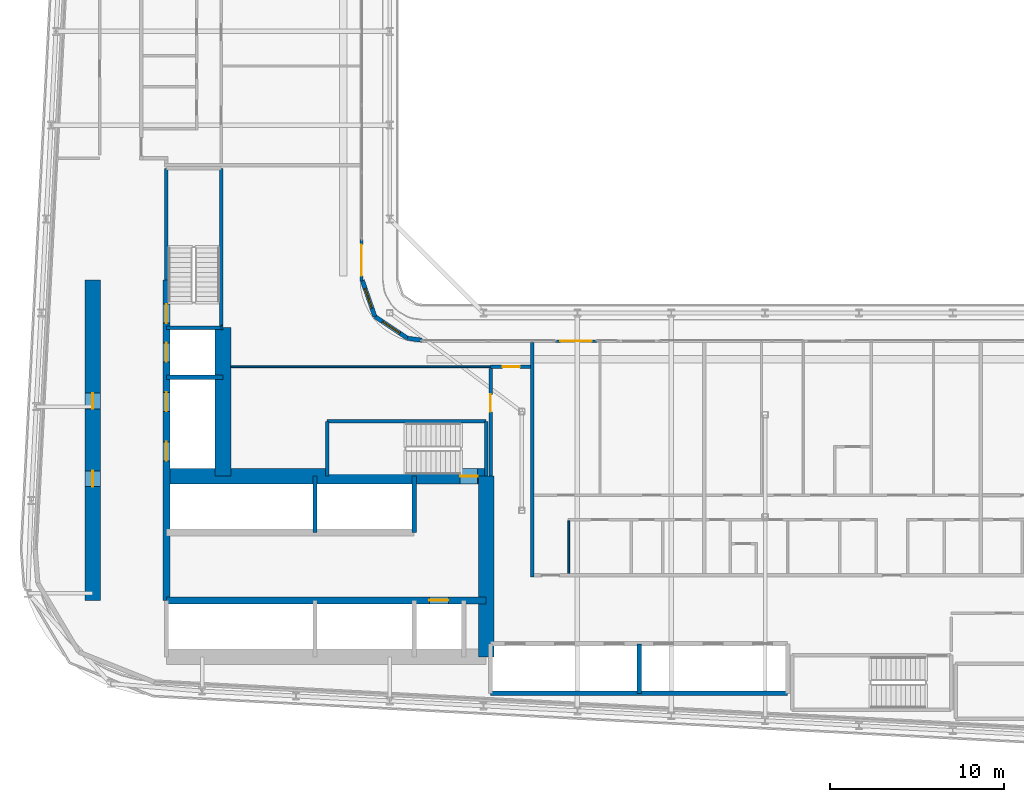
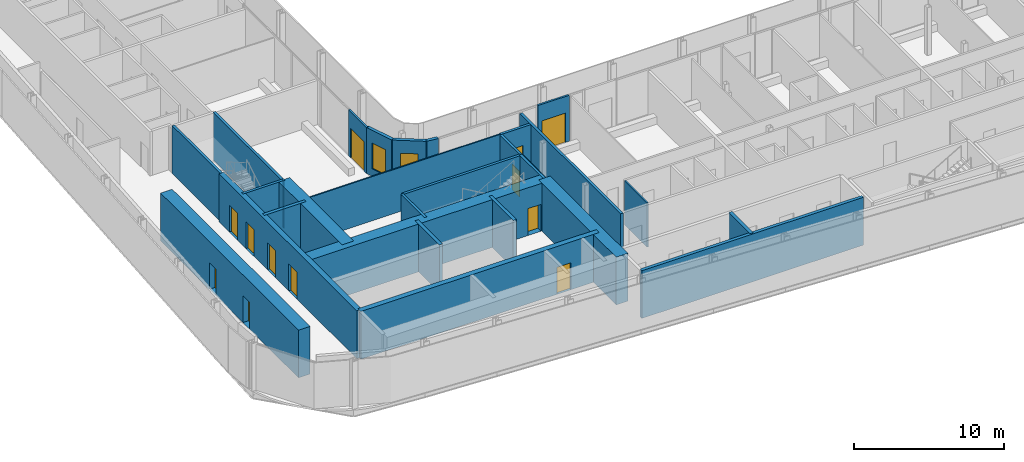
# One storey, part 13 of 28: 28 walls, 12 doors, 2 windows, 14 openings.
"""IFC4 building model written with IfcOpenShell, lengths in metres."""

from ifc_helpers import new_model, si_unit, direction, frame, frame_2d, origin, place, context, subcontext, project, spatial, rectangle, extrude, source, transform, mapped, material, layer, layer_set, type_object, element, fill, save


model = new_model("IFC4")

# Units and contexts
model_context = context("Model", 3, precision=1e-05, world=origin(), true_north=direction((0.0, 1.0)))
body_context = subcontext(model_context, "Body", "Model", "MODEL_VIEW")
ifc_project = project(units=[si_unit("LENGTHUNIT", "METRE"), si_unit("AREAUNIT", "SQUARE_METRE"), si_unit("VOLUMEUNIT", "CUBIC_METRE"), si_unit("PLANEANGLEUNIT", "RADIAN"), si_unit("MASSUNIT", "GRAM", prefix="KILO")], contexts=[model_context])

# Site, building, storey
site_placement = place(None, origin())
site = spatial("IfcSite", under=ifc_project, at=site_placement, CompositionType="ELEMENT")
building_placement = place(site_placement, origin())
building = spatial("IfcBuilding", under=site, at=building_placement, Name="Kheshtan School and Residences Tower", CompositionType="ELEMENT")
storey_placement = place(building_placement, frame((0.0, 0.0, 125.300048828125)))
storey = spatial("IfcBuildingStorey", under=building, at=storey_placement, Name="L29", CompositionType="ELEMENT", Elevation=125.300048828125)

# Wall, opening, door
ifc_material_1 = material(Name="Concrete C50/60", Category="concrete")
ifc_layer_1 = layer(ifc_material_1, 0.39990234375)
ifc_layer_set_1 = layer_set([ifc_layer_1], Name="Core wall 400 Concrete C50/60")
wall_type_1 = type_object("IfcWallType", Name="Core wall 400 Concrete C50/60", PredefinedType="SHEAR", material=ifc_layer_set_1)
wall_1_placement = place(storey_placement, frame((34.75, 29.050048828125, 0.0), z_axis=(0.0, 0.0, 1.0), x_axis=(1.0, 0.0, 0.0)))
wall_1 = element("IfcWall", 1, at=wall_1_placement, inside=storey, type_object=wall_type_1, Name="Core wall CW-HALL-S1", PredefinedType="SHEAR", context=body_context, shape_type="SweptSolid", body=[
    extrude(rectangle(XDim=18.39990234375, YDim=0.39990234375, at=frame_2d((9.199951171875, 0.0))), origin(), (0.0, 0.0, 1.0), 3.89990234375),
])
opening_1_placement = place(wall_1_placement, frame((15.125, 0.0, 0.0)))
opening_1 = element("IfcOpeningElement", 2, at=opening_1_placement, cuts=wall_1, Name="Opening LD", PredefinedType="OPENING", context=body_context, shape_type="SweptSolid", body=[
    extrude(rectangle(XDim=1.10009765625, YDim=2.199951171875, at=frame_2d((0.550048828125, 1.10009765625))), frame((0.0, 0.2099609375, 0.0), z_axis=(0.0, -1.0, 0.0), x_axis=(1.0, 0.0, 0.0)), (0.0, 0.0, 1.0), 0.419921875),
])
ifc_material_2 = material(Name="Stainless steel door leaves", Category="steel")
door_type_1 = type_object("IfcDoorType", Name="Lift landing door 1100", OperationType="SLIDING_TO_LEFT", PredefinedType="DOOR", material=ifc_material_2)
shared_shape_1 = source(origin(), body_context, "Body", "SweptSolid", [
    extrude(rectangle(XDim=1.10009765625, YDim=2.199951171875, at=frame_2d((0.550048828125, 1.10009765625))), frame((0.0, 0.02490234375, 0.0), z_axis=(0.0, -1.0, 0.0), x_axis=(1.0, 0.0, 0.0)), (0.0, 0.0, 1.0), 0.050048828125),
])
door_1_placement = place(opening_1_placement, origin())
door_1 = element("IfcDoor", 3, at=door_1_placement, inside=storey, type_object=door_type_1, Name="Lift FFL2 landing door", OperationType="SLIDING_TO_LEFT", OverallHeight=2.199951171875, OverallWidth=1.10009765625, PredefinedType="DOOR", context=body_context, shape_type="MappedRepresentation", body=[
    mapped(shared_shape_1, transform((0.0, 0.0, 0.0), x_axis=(1.0, 0.0, 0.0), y_axis=(0.0, 1.0, 0.0), z_axis=(0.0, 0.0, 1.0), scale=1.0)),
])
fill(opening_1, door_1)

# Wall, openings, doors
wall_2_placement = place(storey_placement, frame((34.75, 29.050048828125, 0.0), z_axis=(0.0, 0.0, 1.0), x_axis=(0.0, 1.0, 0.0)))
wall_2 = element("IfcWall", 4, at=wall_2_placement, inside=storey, type_object=wall_type_1, Name="Core wall CW-HALL-W1", PredefinedType="SHEAR", context=body_context, shape_type="SweptSolid", body=[
    extrude(rectangle(XDim=18.449951171875, YDim=0.39990234375, at=frame_2d((9.22509765625, 0.0))), origin(), (0.0, 0.0, 1.0), 3.89990234375),
])
opening_2_placement = place(wall_2_placement, frame((8.02490234375, 0.0, 0.0)))
opening_2 = element("IfcOpeningElement", 5, at=opening_2_placement, cuts=wall_2, Name="Opening LD", PredefinedType="OPENING", context=body_context, shape_type="SweptSolid", body=[
    extrude(rectangle(XDim=1.10009765625, YDim=2.199951171875, at=frame_2d((0.550048828125, 1.10009765625))), frame((0.0, 0.2099609375, 0.0), z_axis=(0.0, -1.0, 0.0), x_axis=(1.0, 0.0, 0.0)), (0.0, 0.0, 1.0), 0.419921875),
])
opening_3_placement = place(wall_2_placement, frame((10.875, 0.0, 0.0)))
opening_3 = element("IfcOpeningElement", 6, at=opening_3_placement, cuts=wall_2, Name="Opening LD", PredefinedType="OPENING", context=body_context, shape_type="SweptSolid", body=[
    extrude(rectangle(XDim=1.10009765625, YDim=2.199951171875, at=frame_2d((0.550048828125, 1.10009765625))), frame((0.0, 0.2099609375, 0.0), z_axis=(0.0, -1.0, 0.0), x_axis=(1.0, 0.0, 0.0)), (0.0, 0.0, 1.0), 0.419921875),
])
opening_4_placement = place(wall_2_placement, frame((13.72509765625, 0.0, 0.0)))
opening_4 = element("IfcOpeningElement", 7, at=opening_4_placement, cuts=wall_2, Name="Opening LD", PredefinedType="OPENING", context=body_context, shape_type="SweptSolid", body=[
    extrude(rectangle(XDim=1.10009765625, YDim=2.199951171875, at=frame_2d((0.550048828125, 1.10009765625))), frame((0.0, 0.2099609375, 0.0), z_axis=(0.0, -1.0, 0.0), x_axis=(1.0, 0.0, 0.0)), (0.0, 0.0, 1.0), 0.419921875),
])
opening_5_placement = place(wall_2_placement, frame((15.949951171875, 0.0, 0.0)))
opening_5 = element("IfcOpeningElement", 8, at=opening_5_placement, cuts=wall_2, Name="Opening ST2D", PredefinedType="OPENING", context=body_context, shape_type="SweptSolid", body=[
    extrude(rectangle(XDim=1.10009765625, YDim=2.199951171875, at=frame_2d((0.550048828125, 1.10009765625))), frame((0.0, 0.2099609375, 0.0), z_axis=(0.0, -1.0, 0.0), x_axis=(1.0, 0.0, 0.0)), (0.0, 0.0, 1.0), 0.419921875),
])
door_2_placement = place(opening_2_placement, origin())
door_2 = element("IfcDoor", 9, at=door_2_placement, inside=storey, type_object=door_type_1, Name="Lift SV1 landing door", OperationType="SLIDING_TO_LEFT", OverallHeight=2.199951171875, OverallWidth=1.10009765625, PredefinedType="DOOR", context=body_context, shape_type="MappedRepresentation", body=[
    mapped(shared_shape_1, transform((0.0, 0.0, 0.0), x_axis=(1.0, 0.0, 0.0), y_axis=(0.0, 1.0, 0.0), z_axis=(0.0, 0.0, 1.0), scale=1.0)),
])
fill(opening_2, door_2)
door_3_placement = place(opening_3_placement, origin())
door_3 = element("IfcDoor", 10, at=door_3_placement, inside=storey, type_object=door_type_1, Name="Lift SV2 landing door", OperationType="SLIDING_TO_LEFT", OverallHeight=2.199951171875, OverallWidth=1.10009765625, PredefinedType="DOOR", context=body_context, shape_type="MappedRepresentation", body=[
    mapped(shared_shape_1, transform((0.0, 0.0, 0.0), x_axis=(1.0, 0.0, 0.0), y_axis=(0.0, 1.0, 0.0), z_axis=(0.0, 0.0, 1.0), scale=1.0)),
])
fill(opening_3, door_3)
door_4_placement = place(opening_4_placement, origin())
door_4 = element("IfcDoor", 11, at=door_4_placement, inside=storey, type_object=door_type_1, Name="Lift FFL1 landing door", OperationType="SLIDING_TO_LEFT", OverallHeight=2.199951171875, OverallWidth=1.10009765625, PredefinedType="DOOR", context=body_context, shape_type="MappedRepresentation", body=[
    mapped(shared_shape_1, transform((0.0, 0.0, 0.0), x_axis=(1.0, 0.0, 0.0), y_axis=(0.0, 1.0, 0.0), z_axis=(0.0, 0.0, 1.0), scale=1.0)),
])
fill(opening_4, door_4)
ifc_material_3 = material(Name="Steel door leaf, galvanised", Category="steel")
door_type_2 = type_object("IfcDoorType", Name="Stair door 1100 steel 90 min", OperationType="SINGLE_SWING_LEFT", PredefinedType="DOOR", material=ifc_material_3)
shared_shape_2 = source(origin(), body_context, "Body", "SweptSolid", [
    extrude(rectangle(XDim=1.10009765625, YDim=2.199951171875, at=frame_2d((0.550048828125, 1.10009765625))), frame((0.0, 0.02490234375, 0.0), z_axis=(0.0, -1.0, 0.0), x_axis=(1.0, 0.0, 0.0)), (0.0, 0.0, 1.0), 0.050048828125),
])
door_5_placement = place(opening_5_placement, origin())
door_5 = element("IfcDoor", 12, at=door_5_placement, inside=storey, type_object=door_type_2, Name="Stair ST2 door", OperationType="SINGLE_SWING_RIGHT", OverallHeight=2.199951171875, OverallWidth=1.10009765625, PredefinedType="DOOR", context=body_context, shape_type="MappedRepresentation", body=[
    mapped(shared_shape_2, transform((0.0, 0.0, 0.0), x_axis=(1.0, 0.0, 0.0), y_axis=(0.0, 1.0, 0.0), z_axis=(0.0, 0.0, 1.0), scale=1.0)),
])
fill(opening_5, door_5)

# Wall, opening, door
ifc_material_4 = material(Name="Concrete C80/95", Category="concrete")
ifc_layer_2 = layer(ifc_material_4, 0.89990234375)
ifc_layer_set_2 = layer_set([ifc_layer_2], Name="Core wall 900 Concrete C80/95")
wall_type_2 = type_object("IfcWallType", Name="Core wall 900 Concrete C80/95", PredefinedType="SHEAR", material=ifc_layer_set_2)
wall_3_placement = place(storey_placement, frame((34.75, 36.199951171875, 0.0), z_axis=(0.0, 0.0, 1.0), x_axis=(1.0, 0.0, 0.0)))
wall_3 = element("IfcWall", 13, at=wall_3_placement, inside=storey, type_object=wall_type_2, Name="Core wall CW-FRONT-S", PredefinedType="SHEAR", context=body_context, shape_type="SweptSolid", body=[
    extrude(rectangle(XDim=18.39990234375, YDim=0.89990234375, at=frame_2d((9.199951171875, 0.0))), origin(), (0.0, 0.0, 1.0), 3.89990234375),
])
opening_6_placement = place(wall_3_placement, frame((16.89990234375, 0.0, 0.0)))
opening_6 = element("IfcOpeningElement", 14, at=opening_6_placement, cuts=wall_3, Name="Opening ST1D", PredefinedType="OPENING", context=body_context, shape_type="SweptSolid", body=[
    extrude(rectangle(XDim=1.0, YDim=2.199951171875, at=frame_2d((0.5, 1.10009765625))), frame((0.0, 0.4599609375, 0.0), z_axis=(0.0, -1.0, 0.0), x_axis=(1.0, 0.0, 0.0)), (0.0, 0.0, 1.0), 0.919921875),
])
shared_shape_3 = source(origin(), body_context, "Body", "SweptSolid", [
    extrude(rectangle(XDim=1.0, YDim=2.199951171875, at=frame_2d((0.5, 1.10009765625))), frame((0.0, 0.02490234375, 0.0), z_axis=(0.0, -1.0, 0.0), x_axis=(1.0, 0.0, 0.0)), (0.0, 0.0, 1.0), 0.050048828125),
])
door_6_placement = place(opening_6_placement, origin())
door_6 = element("IfcDoor", 15, at=door_6_placement, inside=storey, type_object=door_type_2, Name="Stair ST1 door", OperationType="SINGLE_SWING_RIGHT", OverallHeight=2.199951171875, OverallWidth=1.0, PredefinedType="DOOR", context=body_context, shape_type="MappedRepresentation", body=[
    mapped(shared_shape_3, transform((0.0, 0.0, 0.0), x_axis=(1.0, 0.0, 0.0), y_axis=(0.0, 1.0, 0.0), z_axis=(0.0, 0.0, 1.0), scale=1.0)),
])
fill(opening_6, door_6)

# Wall
wall_4_placement = place(storey_placement, frame((38.0, 36.199951171875, 0.0), z_axis=(0.0, 0.0, 1.0), x_axis=(0.0, 1.0, 0.0)))
element("IfcWall", 16, at=wall_4_placement, inside=storey, type_object=wall_type_2, Name="Core wall CW-FRONT-W", PredefinedType="SHEAR", context=body_context, shape_type="SweptSolid", body=[
    extrude(rectangle(XDim=8.550048828125, YDim=0.89990234375, at=frame_2d((4.27490234375, 0.0))), origin(), (0.0, 0.0, 1.0), 3.89990234375),
])

# Wall, openings, doors
wall_5_placement = place(storey_placement, frame((30.5, 29.050048828125, 0.0), z_axis=(0.0, 0.0, 1.0), x_axis=(0.0, 1.0, 0.0)))
wall_5 = element("IfcWall", 17, at=wall_5_placement, inside=storey, type_object=wall_type_2, Name="Core wall CW-REAR-W", PredefinedType="SHEAR", context=body_context, shape_type="SweptSolid", body=[
    extrude(rectangle(XDim=18.449951171875, YDim=0.89990234375, at=frame_2d((9.22509765625, 0.0))), origin(), (0.0, 0.0, 1.0), 3.89990234375),
])
opening_7_placement = place(wall_5_placement, frame((6.550048828125, 0.0, 0.0)))
opening_7 = element("IfcOpeningElement", 18, at=opening_7_placement, cuts=wall_5, Name="Opening SR90", PredefinedType="OPENING", context=body_context, shape_type="SweptSolid", body=[
    extrude(rectangle(XDim=0.89990234375, YDim=2.199951171875, at=frame_2d((0.449951171875, 1.10009765625))), frame((0.0, 0.4599609375, 0.0), z_axis=(0.0, -1.0, 0.0), x_axis=(1.0, 0.0, 0.0)), (0.0, 0.0, 1.0), 0.919921875),
])
opening_8_placement = place(wall_5_placement, frame((11.02490234375, 0.0, 0.0)))
opening_8 = element("IfcOpeningElement", 19, at=opening_8_placement, cuts=wall_5, Name="Opening SR90", PredefinedType="OPENING", context=body_context, shape_type="SweptSolid", body=[
    extrude(rectangle(XDim=0.89990234375, YDim=2.199951171875, at=frame_2d((0.449951171875, 1.10009765625))), frame((0.0, 0.4599609375, 0.0), z_axis=(0.0, -1.0, 0.0), x_axis=(1.0, 0.0, 0.0)), (0.0, 0.0, 1.0), 0.919921875),
])
door_type_3 = type_object("IfcDoorType", Name="Service room door 900 steel 90 min", OperationType="SINGLE_SWING_LEFT", PredefinedType="DOOR", material=ifc_material_3)
shared_shape_4 = source(origin(), body_context, "Body", "SweptSolid", [
    extrude(rectangle(XDim=0.89990234375, YDim=2.199951171875, at=frame_2d((0.449951171875, 1.10009765625))), frame((0.0, 0.02490234375, 0.0), z_axis=(0.0, -1.0, 0.0), x_axis=(1.0, 0.0, 0.0)), (0.0, 0.0, 1.0), 0.050048828125),
])
door_7_placement = place(opening_7_placement, origin())
door_7 = element("IfcDoor", 20, at=door_7_placement, inside=storey, type_object=door_type_3, Name="Service room door", OperationType="SINGLE_SWING_RIGHT", OverallHeight=2.199951171875, OverallWidth=0.89990234375, PredefinedType="DOOR", context=body_context, shape_type="MappedRepresentation", body=[
    mapped(shared_shape_4, transform((0.0, 0.0, 0.0), x_axis=(1.0, 0.0, 0.0), y_axis=(0.0, 1.0, 0.0), z_axis=(0.0, 0.0, 1.0), scale=1.0)),
])
fill(opening_7, door_7)
door_8_placement = place(opening_8_placement, origin())
door_8 = element("IfcDoor", 21, at=door_8_placement, inside=storey, type_object=door_type_3, Name="Service room door", OperationType="SINGLE_SWING_RIGHT", OverallHeight=2.199951171875, OverallWidth=0.89990234375, PredefinedType="DOOR", context=body_context, shape_type="MappedRepresentation", body=[
    mapped(shared_shape_4, transform((0.0, 0.0, 0.0), x_axis=(1.0, 0.0, 0.0), y_axis=(0.0, 1.0, 0.0), z_axis=(0.0, 0.0, 1.0), scale=1.0)),
])
fill(opening_8, door_8)

# Wall
wall_6_placement = place(storey_placement, frame((53.14990234375, 25.800048828125, 0.0), z_axis=(0.0, 0.0, 1.0), x_axis=(0.0, 1.0, 0.0)))
element("IfcWall", 22, at=wall_6_placement, inside=storey, type_object=wall_type_2, Name="Core wall CW-EAST", PredefinedType="SHEAR", context=body_context, shape_type="SweptSolid", body=[
    extrude(rectangle(XDim=10.39990234375, YDim=0.89990234375, at=frame_2d((5.199951171875, 0.0))), origin(), (0.0, 0.0, 1.0), 3.89990234375),
])

# Wall, opening, door
ifc_material_5 = material(Name="Gypsum board on steel studs with fire boards", Category="steel")
ifc_layer_3 = layer(ifc_material_5, 0.199951171875)
ifc_layer_set_3 = layer_set([ifc_layer_3], Name="Corridor wall 200")
wall_type_3 = type_object("IfcWallType", Name="Corridor wall 200", PredefinedType="PARTITIONING", material=ifc_layer_set_3)
wall_7_placement = place(storey_placement, frame((53.39990234375, 36.198974609375, 0.0), z_axis=(0.0, 0.0, 1.0), x_axis=(0.0, 1.0, 0.0)))
wall_7 = element("IfcWall", 23, at=wall_7_placement, inside=storey, type_object=wall_type_3, Name="Partition L29-044", PredefinedType="PARTITIONING", context=body_context, shape_type="SweptSolid", body=[
    extrude(rectangle(XDim=6.200927734375, YDim=0.199951171875, at=frame_2d((3.1005859375, 0.0))), origin(), (0.0, 0.0, 1.0), 3.599853515625),
])
opening_9_placement = place(wall_7_placement, frame((3.70703125, 0.0, 0.0)))
opening_9 = element("IfcOpeningElement", 24, at=opening_9_placement, cuts=wall_7, Name="Opening D29-063", PredefinedType="OPENING", context=body_context, shape_type="SweptSolid", body=[
    extrude(rectangle(XDim=1.0, YDim=2.10009765625, at=frame_2d((0.5, 1.050048828125))), frame((0.0, 0.10986328125, 0.0), z_axis=(0.0, -1.0, 0.0), x_axis=(1.0, 0.0, 0.0)), (0.0, 0.0, 1.0), 0.219970703125),
])
ifc_material_6 = material(Name="Steel-framed fire-resisting door leaf", Category="steel")
door_type_4 = type_object("IfcDoorType", Name="Fire door FD60 1000 x 2100", OperationType="SINGLE_SWING_LEFT", PredefinedType="DOOR", material=ifc_material_6)
shared_shape_5 = source(origin(), body_context, "Body", "SweptSolid", [
    extrude(rectangle(XDim=1.0, YDim=2.10009765625, at=frame_2d((0.5, 1.050048828125))), frame((0.0, 0.02490234375, 0.0), z_axis=(0.0, -1.0, 0.0), x_axis=(1.0, 0.0, 0.0)), (0.0, 0.0, 1.0), 0.050048828125),
])
door_9_placement = place(opening_9_placement, origin())
door_9 = element("IfcDoor", 25, at=door_9_placement, inside=storey, type_object=door_type_4, Name="Door D29-063", OperationType="SINGLE_SWING_LEFT", OverallHeight=2.10009765625, OverallWidth=1.0, PredefinedType="DOOR", context=body_context, shape_type="MappedRepresentation", body=[
    mapped(shared_shape_5, transform((0.0, 0.0, 0.0), x_axis=(1.0, 0.0, 0.0), y_axis=(0.0, 1.0, 0.0), z_axis=(0.0, 0.0, 1.0), scale=1.0)),
])
fill(opening_9, door_9)

wall_8_placement = place(storey_placement, frame((53.39990234375, 42.5, 0.0), z_axis=(0.0, 0.0, 1.0), x_axis=(1.0, 0.0, 0.0)))
wall_8 = element("IfcWall", 26, at=wall_8_placement, inside=storey, type_object=wall_type_3, Name="Partition L29-045", PredefinedType="PARTITIONING", context=body_context, shape_type="SweptSolid", body=[
    extrude(rectangle(XDim=2.300048828125, YDim=0.199951171875, at=frame_2d((1.14990234375, 0.0))), origin(), (0.0, 0.0, 1.0), 3.599853515625),
])
opening_10_placement = place(wall_8_placement, frame((0.695068359375, 0.0, 0.0)))
opening_10 = element("IfcOpeningElement", 27, at=opening_10_placement, cuts=wall_8, Name="Opening D29-064", PredefinedType="OPENING", context=body_context, shape_type="SweptSolid", body=[
    extrude(rectangle(XDim=1.0, YDim=2.10009765625, at=frame_2d((0.5, 1.050048828125))), frame((0.0, 0.10986328125, 0.0), z_axis=(0.0, -1.0, 0.0), x_axis=(1.0, 0.0, 0.0)), (0.0, 0.0, 1.0), 0.219970703125),
])
door_10_placement = place(opening_10_placement, origin())
door_10 = element("IfcDoor", 28, at=door_10_placement, inside=storey, type_object=door_type_4, Name="Door D29-064", OperationType="SINGLE_SWING_RIGHT", OverallHeight=2.10009765625, OverallWidth=1.0, PredefinedType="DOOR", context=body_context, shape_type="MappedRepresentation", body=[
    mapped(shared_shape_5, transform((0.0, 0.0, 0.0), x_axis=(1.0, 0.0, 0.0), y_axis=(0.0, 1.0, 0.0), z_axis=(0.0, 0.0, 1.0), scale=1.0)),
])
fill(opening_10, door_10)

# Wall, opening, window
ifc_material_7 = material(Name="Concrete C40/50 with ceramic cladding and mineral wool insulation", Category="concrete")
ifc_layer_4 = layer(ifc_material_7, 0.25)
ifc_layer_set_4 = layer_set([ifc_layer_4], Name="External wall 250 ceramic clad")
wall_type_4 = type_object("IfcWallType", Name="External wall 250 ceramic clad", PredefinedType="SOLIDWALL", material=ifc_layer_set_4)
wall_9_placement = place(storey_placement, frame((46.01806640625, 47.470947265625, 0.0), z_axis=(0.0, 0.0, 1.0), x_axis=(0.328791208903, -0.944402637093, 0.0)))
wall_9 = element("IfcWall", 29, at=wall_9_placement, inside=storey, type_object=wall_type_4, Name="External wall L29 9", PredefinedType="SOLIDWALL", context=body_context, shape_type="SweptSolid", body=[
    extrude(rectangle(XDim=2.20458984375, YDim=0.25, at=frame_2d((1.102294921875, 0.0))), origin(), (0.0, 0.0, 1.0), 3.75),
])
opening_11_placement = place(wall_9_placement, frame((0.5029296875, 0.0, 0.60009765625)))
opening_11 = element("IfcOpeningElement", 30, at=opening_11_placement, cuts=wall_9, Name="Opening WN-E", PredefinedType="OPENING", context=body_context, shape_type="SweptSolid", body=[
    extrude(rectangle(XDim=1.199951171875, YDim=2.10009765625, at=frame_2d((0.60009765625, 1.050048828125))), frame((0.0, 0.135009765625, 0.0), z_axis=(0.0, -1.0, 0.0), x_axis=(1.0, 0.0, 0.0)), (0.0, 0.0, 1.0), 0.27001953125),
])
ifc_material_8 = material(Name="Clear low-e glass in thermally broken aluminium frame", Category="aluminium")
window_type = type_object("IfcWindowType", Name="Window WN-E", PartitioningType="SINGLE_PANEL", PredefinedType="WINDOW", material=ifc_material_8)
shared_shape_6 = source(origin(), body_context, "Body", "SweptSolid", [
    extrude(rectangle(XDim=1.199951171875, YDim=2.10009765625, at=frame_2d((0.60009765625, 1.050048828125))), frame((0.0, 0.030029296875, 0.0), z_axis=(0.0, -1.0, 0.0), x_axis=(1.0, 0.0, 0.0)), (0.0, 0.0, 1.0), 0.06005859375),
])
window_1_placement = place(opening_11_placement, origin())
window_1 = element("IfcWindow", 31, at=window_1_placement, inside=storey, type_object=window_type, Name="Window L29 9", OverallHeight=2.10009765625, OverallWidth=1.199951171875, PartitioningType="SINGLE_PANEL", PredefinedType="WINDOW", context=body_context, shape_type="MappedRepresentation", body=[
    mapped(shared_shape_6, transform((0.0, 0.0, 0.0), x_axis=(1.0, 0.0, 0.0), y_axis=(0.0, 1.0, 0.0), z_axis=(0.0, 0.0, 1.0), scale=1.0)),
])
fill(opening_11, window_1)

wall_10_placement = place(storey_placement, frame((46.742919921875, 45.388916015625, 0.0), z_axis=(0.0, 0.0, 1.0), x_axis=(0.831449265529, -0.555600682912, 0.0)))
wall_10 = element("IfcWall", 32, at=wall_10_placement, inside=storey, type_object=wall_type_4, Name="External wall L29 10", PredefinedType="SOLIDWALL", context=body_context, shape_type="SweptSolid", body=[
    extrude(rectangle(XDim=2.25146484375, YDim=0.25, at=frame_2d((1.125732421875, 0.0))), origin(), (0.0, 0.0, 1.0), 3.75),
])
opening_12_placement = place(wall_10_placement, frame((0.52490234375, 0.0, 0.60009765625)))
opening_12 = element("IfcOpeningElement", 33, at=opening_12_placement, cuts=wall_10, Name="Opening WN-E", PredefinedType="OPENING", context=body_context, shape_type="SweptSolid", body=[
    extrude(rectangle(XDim=1.199951171875, YDim=2.10009765625, at=frame_2d((0.60009765625, 1.050048828125))), frame((0.0, 0.135009765625, 0.0), z_axis=(0.0, -1.0, 0.0), x_axis=(1.0, 0.0, 0.0)), (0.0, 0.0, 1.0), 0.27001953125),
])
window_2_placement = place(opening_12_placement, origin())
window_2 = element("IfcWindow", 34, at=window_2_placement, inside=storey, type_object=window_type, Name="Window L29 10", OverallHeight=2.10009765625, OverallWidth=1.199951171875, PartitioningType="SINGLE_PANEL", PredefinedType="WINDOW", context=body_context, shape_type="MappedRepresentation", body=[
    mapped(shared_shape_6, transform((0.0, 0.0, 0.0), x_axis=(1.0, 0.0, 0.0), y_axis=(0.0, 1.0, 0.0), z_axis=(0.0, 0.0, 1.0), scale=1.0)),
])
fill(opening_12, window_2)

# Wall
wall_11_placement = place(storey_placement, frame((48.614990234375, 44.137939453125, 0.0), z_axis=(0.0, 0.0, 1.0), x_axis=(0.990741504246, -0.135761819977, 0.0)))
element("IfcWall", 35, at=wall_11_placement, inside=storey, type_object=wall_type_4, Name="External wall L29 11", PredefinedType="SOLIDWALL", context=body_context, shape_type="SweptSolid", body=[
    extrude(rectangle(XDim=0.83984375, YDim=0.25, at=frame_2d((0.419921875, 0.0))), origin(), (0.0, 0.0, 1.0), 3.75),
])

# Wall, opening, door
ifc_material_9 = material(Name="Aluminium frame wall with insulated infill", Category="aluminium")
ifc_layer_5 = layer(ifc_material_9, 0.14990234375)
ifc_layer_set_5 = layer_set([ifc_layer_5], Name="Glazing frame wall 150")
wall_type_5 = type_object("IfcWallType", Name="Glazing frame wall 150", PredefinedType="SOLIDWALL", material=ifc_layer_set_5)
wall_12_placement = place(storey_placement, frame((45.97509765625, 49.830078125, 0.0), z_axis=(0.0, 0.0, 1.0), x_axis=(0.0, -1.0, 0.0)))
wall_12 = element("IfcWall", 36, at=wall_12_placement, inside=storey, type_object=wall_type_5, Name="Balcony door wall L29 8.5", PredefinedType="SOLIDWALL", context=body_context, shape_type="SweptSolid", body=[
    extrude(rectangle(XDim=2.400146484375, YDim=0.14990234375, at=frame_2d((1.2001953125, 0.0))), origin(), (0.0, 0.0, 1.0), 3.75),
])
opening_13_placement = place(wall_12_placement, frame((0.300048828125, 0.0, 0.0)))
opening_13 = element("IfcOpeningElement", 37, at=opening_13_placement, cuts=wall_12, Name="Opening BD", PredefinedType="OPENING", context=body_context, shape_type="SweptSolid", body=[
    extrude(rectangle(XDim=1.800048828125, YDim=2.39990234375, at=frame_2d((0.89990234375, 1.199951171875))), frame((0.0, 0.0849609375, 0.0), z_axis=(0.0, -1.0, 0.0), x_axis=(1.0, 0.0, 0.0)), (0.0, 0.0, 1.0), 0.169921875),
])
door_type_5 = type_object("IfcDoorType", Name="Balcony sliding door", OperationType="SLIDING_TO_LEFT", PredefinedType="DOOR", material=ifc_material_8)
shared_shape_7 = source(origin(), body_context, "Body", "SweptSolid", [
    extrude(rectangle(XDim=1.800048828125, YDim=2.39990234375, at=frame_2d((0.89990234375, 1.199951171875))), frame((0.0, 0.02490234375, 0.0), z_axis=(0.0, -1.0, 0.0), x_axis=(1.0, 0.0, 0.0)), (0.0, 0.0, 1.0), 0.050048828125),
])
door_11_placement = place(opening_13_placement, origin())
door_11 = element("IfcDoor", 38, at=door_11_placement, inside=storey, type_object=door_type_5, Name="Balcony door L29 8.5", OperationType="SLIDING_TO_LEFT", OverallHeight=2.39990234375, OverallWidth=1.800048828125, PredefinedType="DOOR", context=body_context, shape_type="MappedRepresentation", body=[
    mapped(shared_shape_7, transform((0.0, 0.0, 0.0), x_axis=(1.0, 0.0, 0.0), y_axis=(0.0, 1.0, 0.0), z_axis=(0.0, 0.0, 1.0), scale=1.0)),
])
fill(opening_13, door_11)

wall_13_placement = place(storey_placement, frame((57.1240234375, 43.97509765625, 0.0), z_axis=(0.0, 0.0, 1.0), x_axis=(1.0, 0.0, 0.0)))
wall_13 = element("IfcWall", 39, at=wall_13_placement, inside=storey, type_object=wall_type_5, Name="Balcony door wall L29 12.1", PredefinedType="SOLIDWALL", context=body_context, shape_type="SweptSolid", body=[
    extrude(rectangle(XDim=2.39990234375, YDim=0.14990234375, at=frame_2d((1.199951171875, 0.0))), origin(), (0.0, 0.0, 1.0), 3.75),
])
opening_14_placement = place(wall_13_placement, frame((0.300048828125, 0.0, 0.0)))
opening_14 = element("IfcOpeningElement", 40, at=opening_14_placement, cuts=wall_13, Name="Opening BD", PredefinedType="OPENING", context=body_context, shape_type="SweptSolid", body=[
    extrude(rectangle(XDim=1.800048828125, YDim=2.39990234375, at=frame_2d((0.89990234375, 1.199951171875))), frame((0.0, 0.0849609375, 0.0), z_axis=(0.0, -1.0, 0.0), x_axis=(1.0, 0.0, 0.0)), (0.0, 0.0, 1.0), 0.169921875),
])
door_12_placement = place(opening_14_placement, origin())
door_12 = element("IfcDoor", 41, at=door_12_placement, inside=storey, type_object=door_type_5, Name="Balcony door L29 12.1", OperationType="SLIDING_TO_LEFT", OverallHeight=2.39990234375, OverallWidth=1.800048828125, PredefinedType="DOOR", context=body_context, shape_type="MappedRepresentation", body=[
    mapped(shared_shape_7, transform((0.0, 0.0, 0.0), x_axis=(1.0, 0.0, 0.0), y_axis=(0.0, 1.0, 0.0), z_axis=(0.0, 0.0, 1.0), scale=1.0)),
])
fill(opening_14, door_12)

# Walls
ifc_material_10 = material(Name="Gypsum board on steel studs", Category="steel")
ifc_layer_6 = layer(ifc_material_10, 0.10009765625)
ifc_layer_set_6 = layer_set([ifc_layer_6], Name="Gypsum partition 100")
wall_type_6 = type_object("IfcWallType", Name="Gypsum partition 100", PredefinedType="PARTITIONING", material=ifc_layer_set_6)
wall_14_placement = place(storey_placement, frame((38.448974609375, 42.5, 0.0), z_axis=(0.0, 0.0, 1.0), x_axis=(1.0, 0.0, 0.0)))
element("IfcWall", 42, at=wall_14_placement, inside=storey, type_object=wall_type_6, Name="Partition L29-042", PredefinedType="PARTITIONING", context=body_context, shape_type="SweptSolid", body=[
    extrude(rectangle(XDim=14.950927734375, YDim=0.10009765625, at=frame_2d((7.4755859375, 0.0))), origin(), (0.0, 0.0, 1.0), 3.599853515625),
])
wall_15_placement = place(storey_placement, frame((57.89990234375, 30.60009765625, 0.0), z_axis=(0.0, 0.0, 1.0), x_axis=(0.0, 1.0, 0.0)))
element("IfcWall", 43, at=wall_15_placement, inside=storey, type_object=wall_type_6, Name="Partition L29-050", PredefinedType="PARTITIONING", context=body_context, shape_type="SweptSolid", body=[
    extrude(rectangle(XDim=3.02490234375, YDim=0.10009765625, at=frame_2d((1.512451171875, 0.0))), origin(), (0.0, 0.0, 1.0), 3.599853515625),
])
ifc_material_11 = material(Name="Fire-board shaft wall system")
ifc_layer_7 = layer(ifc_material_11, 0.25)
ifc_layer_set_7 = layer_set([ifc_layer_7], Name="Shaft lining wall 250")
wall_type_7 = type_object("IfcWallType", Name="Shaft lining wall 250", PredefinedType="PARTITIONING", material=ifc_layer_set_7)
for number, where, z_axis, x_axis, name in (
    (44, (43.300048828125, 32.949951171875, 0.0), (0.0, 0.0, 1.0), (0.0, 1.0, 0.0), "Shaft lining wall"),
    (45, (49.0, 32.949951171875, 0.0), (0.0, 0.0, 1.0), (0.0, 1.0, 0.0), "Shaft lining wall"),
):
    element("IfcWall", number, at=place(storey_placement, frame(where, z_axis=z_axis, x_axis=x_axis)), inside=storey, type_object=wall_type_7, Name=name, PredefinedType="PARTITIONING", context=body_context, shape_type="SweptSolid", body=[
        extrude(rectangle(XDim=3.25, YDim=0.25, at=frame_2d((1.625, 0.0))), origin(), (0.0, 0.0, 1.0), 3.89990234375),
    ])
wall_16_placement = place(storey_placement, frame((61.949951171875, 23.699951171875, 0.0), z_axis=(0.0, 0.0, 1.0), x_axis=(0.0, 1.0, 0.0)))
element("IfcWall", 46, at=wall_16_placement, inside=storey, type_object=wall_type_7, Name="Shaft lining wall", PredefinedType="PARTITIONING", context=body_context, shape_type="SweptSolid", body=[
    extrude(rectangle(XDim=2.85009765625, YDim=0.25, at=frame_2d((1.425048828125, 0.0))), origin(), (0.0, 0.0, 1.0), 3.89990234375),
])
wall_17_placement = place(storey_placement, frame((53.39990234375, 23.699951171875, 0.0), z_axis=(0.0, 0.0, 1.0), x_axis=(1.0, 0.0, 0.0)))
element("IfcWall", 47, at=wall_17_placement, inside=storey, type_object=wall_type_7, Name="Shaft lining wall", PredefinedType="PARTITIONING", context=body_context, shape_type="SweptSolid", body=[
    extrude(rectangle(XDim=17.10009765625, YDim=0.25, at=frame_2d((8.550048828125, 0.0))), origin(), (0.0, 0.0, 1.0), 3.89990234375),
])
wall_18_placement = place(storey_placement, frame((34.75, 41.89990234375, 0.0), z_axis=(0.0, 0.0, 1.0), x_axis=(1.0, 0.0, 0.0)))
element("IfcWall", 48, at=wall_18_placement, inside=storey, type_object=wall_type_7, Name="Shaft lining wall", PredefinedType="PARTITIONING", context=body_context, shape_type="SweptSolid", body=[
    extrude(rectangle(XDim=3.25, YDim=0.25, at=frame_2d((1.625, 0.0))), origin(), (0.0, 0.0, 1.0), 3.89990234375),
])
wall_19_placement = place(storey_placement, frame((37.89990234375, 44.75, 0.0), z_axis=(0.0, 0.0, 1.0), x_axis=(1.0, 0.0, 0.0)))
element("IfcWall", 49, at=wall_19_placement, inside=storey, type_object=wall_type_7, Name="Shaft lining wall", PredefinedType="PARTITIONING", context=body_context, shape_type="SweptSolid", body=[
    extrude(rectangle(XDim=0.10009765625, YDim=0.25, at=frame_2d((0.050048828125, 0.0))), origin(), (0.0, 0.0, 1.0), 3.89990234375),
])
ifc_material_12 = material(Name="Concrete C40/50", Category="concrete")
ifc_layer_8 = layer(ifc_material_12, 0.199951171875)
ifc_layer_set_8 = layer_set([ifc_layer_8], Name="Stair enclosure wall 200 Concrete C40/50")
wall_type_8 = type_object("IfcWallType", Name="Stair enclosure wall 200 Concrete C40/50", PredefinedType="SHEAR", material=ifc_layer_set_8)
wall_20_placement = place(storey_placement, frame((43.989990234375, 39.35009765625, 0.0), z_axis=(0.0, 0.0, 1.0), x_axis=(1.0, 0.0, 0.0)))
element("IfcWall", 50, at=wall_20_placement, inside=storey, type_object=wall_type_8, Name="Stair enclosure wall ST1", PredefinedType="SHEAR", context=body_context, shape_type="SweptSolid", body=[
    extrude(rectangle(XDim=9.159912109375, YDim=0.199951171875, at=frame_2d((4.580078125, 0.0))), origin(), (0.0, 0.0, 1.0), 3.89990234375),
])
for number, where, z_axis, x_axis, name in (
    (51, (43.989990234375, 36.199951171875, 0.0), (0.0, 0.0, 1.0), (0.0, 1.0, 0.0), "Stair enclosure wall ST1"),
    (52, (53.14990234375, 36.199951171875, 0.0), (0.0, 0.0, 1.0), (0.0, 1.0, 0.0), "Stair enclosure wall ST1"),
):
    element("IfcWall", number, at=place(storey_placement, frame(where, z_axis=z_axis, x_axis=x_axis)), inside=storey, type_object=wall_type_8, Name=name, PredefinedType="SHEAR", context=body_context, shape_type="SweptSolid", body=[
        extrude(rectangle(XDim=3.150146484375, YDim=0.199951171875, at=frame_2d((1.5751953125, 0.0))), origin(), (0.0, 0.0, 1.0), 3.89990234375),
    ])
wall_21_placement = place(storey_placement, frame((34.75, 44.75, 0.0), z_axis=(0.0, 0.0, 1.0), x_axis=(1.0, 0.0, 0.0)))
element("IfcWall", 53, at=wall_21_placement, inside=storey, type_object=wall_type_8, Name="Stair enclosure wall ST2", PredefinedType="SHEAR", context=body_context, shape_type="SweptSolid", body=[
    extrude(rectangle(XDim=3.14990234375, YDim=0.199951171875, at=frame_2d((1.574951171875, 0.0))), origin(), (0.0, 0.0, 1.0), 3.89990234375),
])
wall_22_placement = place(storey_placement, frame((34.75, 47.5, 0.0), z_axis=(0.0, 0.0, 1.0), x_axis=(0.0, 1.0, 0.0)))
element("IfcWall", 54, at=wall_22_placement, inside=storey, type_object=wall_type_8, Name="Stair enclosure wall ST2", PredefinedType="SHEAR", context=body_context, shape_type="SweptSolid", body=[
    extrude(rectangle(XDim=6.409912109375, YDim=0.199951171875, at=frame_2d((3.205078125, 0.0))), origin(), (0.0, 0.0, 1.0), 3.89990234375),
])
wall_23_placement = place(storey_placement, frame((37.89990234375, 44.75, 0.0), z_axis=(0.0, 0.0, 1.0), x_axis=(0.0, 1.0, 0.0)))
element("IfcWall", 55, at=wall_23_placement, inside=storey, type_object=wall_type_8, Name="Stair enclosure wall ST2", PredefinedType="SHEAR", context=body_context, shape_type="SweptSolid", body=[
    extrude(rectangle(XDim=9.159912109375, YDim=0.199951171875, at=frame_2d((4.580078125, 0.0))), origin(), (0.0, 0.0, 1.0), 3.89990234375),
])
ifc_material_13 = material(Name="Twin gypsum board on steel studs with mineral wool", Category="steel")
ifc_layer_9 = layer(ifc_material_13, 0.199951171875)
ifc_layer_set_9 = layer_set([ifc_layer_9], Name="Unit demising wall 200")
wall_type_9 = type_object("IfcWallType", Name="Unit demising wall 200", PredefinedType="PARTITIONING", material=ifc_layer_set_9)
wall_24_placement = place(storey_placement, frame((55.800048828125, 30.39990234375, 0.0), z_axis=(0.0, 0.0, 1.0), x_axis=(0.0, 1.0, 0.0)))
element("IfcWall", 56, at=wall_24_placement, inside=storey, type_object=wall_type_9, Name="Partition L29-046", PredefinedType="PARTITIONING", context=body_context, shape_type="SweptSolid", body=[
    extrude(rectangle(XDim=13.5, YDim=0.199951171875, at=frame_2d((6.75, 0.0))), origin(), (0.0, 0.0, 1.0), 3.599853515625),
])

save(model, "model.ifc")
